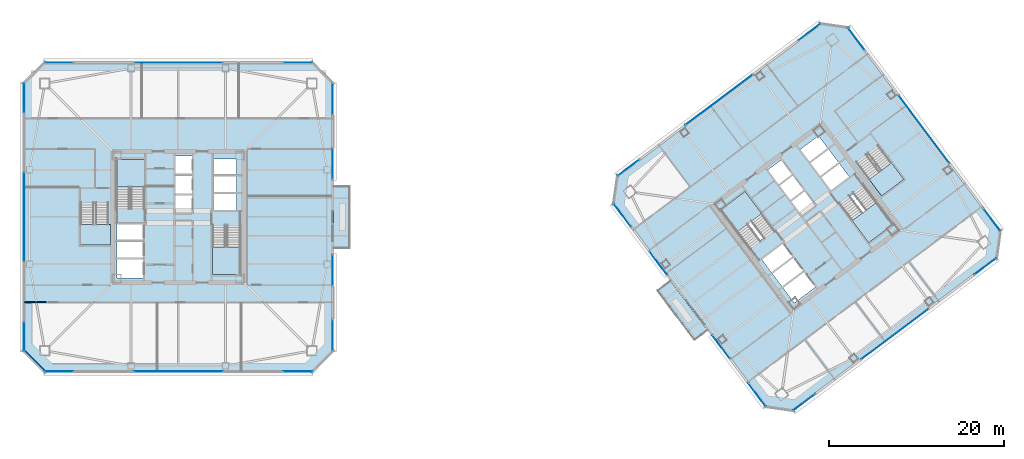
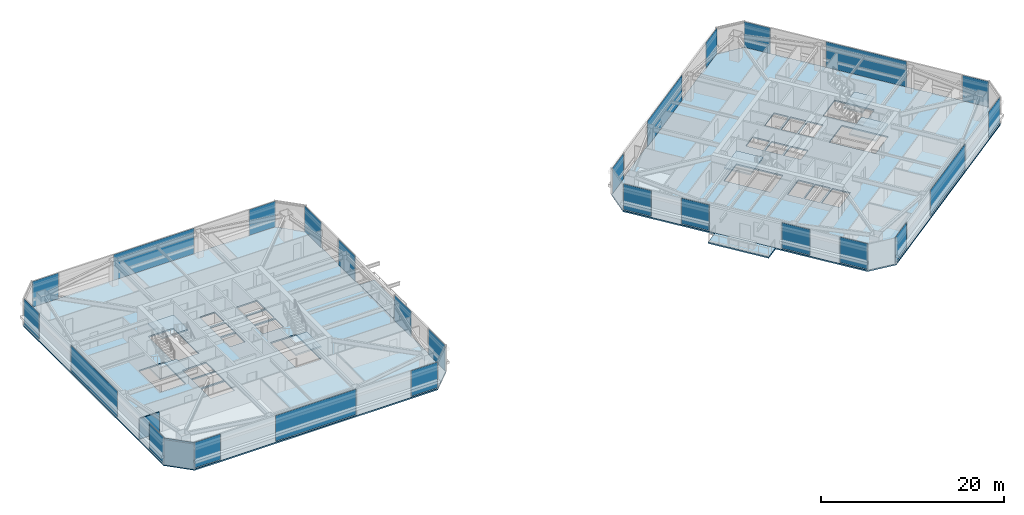
# One storey, part 30 of 41: 26 plates, 10 slabs, 2 walls, 32 elements without a shape of their own.
"""IFC4 building model written with IfcOpenShell, lengths in metres."""

from ifc_helpers import new_model, si_unit, direction, frame, frame_2d, origin, origin_2d, place, context, subcontext, project, spatial, polyline, rectangle, outline, extrude, material, layer, layer_set, type_object, element, aggregate, save


model = new_model("IFC4")

# Units and contexts
model_context = context("Model", 3, precision=1e-05, world=origin(), true_north=direction((0.0, 1.0)))
body_context = subcontext(model_context, "Body", "Model", "MODEL_VIEW")
ifc_project = project(units=[si_unit("LENGTHUNIT", "METRE"), si_unit("AREAUNIT", "SQUARE_METRE"), si_unit("VOLUMEUNIT", "CUBIC_METRE"), si_unit("PLANEANGLEUNIT", "RADIAN"), si_unit("MASSUNIT", "GRAM", prefix="KILO")], contexts=[model_context])

# Site, building, storey
site_placement = place(None, origin())
site = spatial("IfcSite", under=ifc_project, at=site_placement, CompositionType="ELEMENT")
building_placement = place(site_placement, origin())
building = spatial("IfcBuilding", under=site, at=building_placement, Name="Tashvorn Skyway Center", CompositionType="ELEMENT")
storey_placement = place(building_placement, frame((0.0, 0.0, 171.199951171875)))
storey = spatial("IfcBuildingStorey", under=building, at=storey_placement, Name="L46", CompositionType="ELEMENT", Elevation=171.199951171875)

# Curtain wall, plate
ifc_material_1 = material(Name="Thermally broken bronze-anodized aluminium 6063-T6", Category="aluminium")
curtain_wall_type = type_object("IfcCurtainWallType", Name="CW-CW-Z4", PredefinedType="NOTDEFINED", material=ifc_material_1)
curtain_wall_1_placement = place(storey_placement, origin())
curtain_wall_1 = element("IfcCurtainWall", 1, at=curtain_wall_1_placement, inside=storey, type_object=curtain_wall_type, Name="Tower 1 L46 South Unitised Curtain Wall Glazing Group 1", PredefinedType="NOTDEFINED")
ifc_material_2 = material(Name="Low-E solar-control double insulating safety glass", Category="glass")
ifc_layer_1 = layer(ifc_material_2, 0.035888671875)
ifc_layer_set_1 = layer_set([ifc_layer_1], Name="Low-E solar-control double insulating safety glass")
plate_type = type_object("IfcPlateType", Name="CWP-CW-Z4", PredefinedType="CURTAIN_PANEL", material=ifc_layer_set_1)
plate_1_placement = place(storey_placement, frame((55.671142578125, 14.320068359375, 0.0703125), z_axis=(0.0, 0.0, 1.0), x_axis=(-1.0, 0.0, 0.0)))
plate_1 = element("IfcPlate", 2, at=plate_1_placement, type_object=plate_type, Name="CW-Z4 panel 1.1", PredefinedType="CURTAIN_PANEL", context=body_context, shape_type="SweptSolid", body=[
    extrude(rectangle(XDim=3.27783203125, YDim=0.035888671875, at=origin_2d()), origin(), (0.0, 0.0, 1.0), 3.409912109375),
])
aggregate(curtain_wall_1, [plate_1])

curtain_wall_2_placement = place(storey_placement, origin())
curtain_wall_2 = element("IfcCurtainWall", 3, at=curtain_wall_2_placement, inside=storey, type_object=curtain_wall_type, Name="Tower 1 L46 South Unitised Curtain Wall Glazing Group 2", PredefinedType="NOTDEFINED")
plate_2_placement = place(storey_placement, frame((42.0, 14.320068359375, 0.0703125), z_axis=(0.0, 0.0, 1.0), x_axis=(-1.0, 0.0, 0.0)))
plate_2 = element("IfcPlate", 4, at=plate_2_placement, type_object=plate_type, Name="CW-Z4 panel 1.1", PredefinedType="CURTAIN_PANEL", context=body_context, shape_type="SweptSolid", body=[
    extrude(rectangle(XDim=10.11328125, YDim=0.035888671875, at=origin_2d()), origin(), (0.0, 0.0, 1.0), 3.409912109375),
])
aggregate(curtain_wall_2, [plate_2])

curtain_wall_3_placement = place(storey_placement, origin())
curtain_wall_3 = element("IfcCurtainWall", 5, at=curtain_wall_3_placement, inside=storey, type_object=curtain_wall_type, Name="Tower 1 L46 South Unitised Curtain Wall Glazing Group 3", PredefinedType="NOTDEFINED")
plate_3_placement = place(storey_placement, frame((28.328857421875, 14.320068359375, 0.0703125), z_axis=(0.0, 0.0, 1.0), x_axis=(-1.0, 0.0, 0.0)))
plate_3 = element("IfcPlate", 6, at=plate_3_placement, type_object=plate_type, Name="CW-Z4 panel 1.1", PredefinedType="CURTAIN_PANEL", context=body_context, shape_type="SweptSolid", body=[
    extrude(rectangle(XDim=3.27783203125, YDim=0.035888671875, at=origin_2d()), origin(), (0.0, 0.0, 1.0), 3.409912109375),
])
aggregate(curtain_wall_3, [plate_3])

curtain_wall_4_placement = place(storey_placement, origin())
curtain_wall_4 = element("IfcCurtainWall", 7, at=curtain_wall_4_placement, inside=storey, type_object=curtain_wall_type, Name="Tower 1 L46 West Unitised Curtain Wall Glazing Group 1", PredefinedType="NOTDEFINED")
plate_4_placement = place(storey_placement, frame((24.320068359375, 18.328857421875, 0.0703125), z_axis=(0.0, 0.0, 1.0), x_axis=(0.0, 1.0, 0.0)))
plate_4 = element("IfcPlate", 8, at=plate_4_placement, type_object=plate_type, Name="CW-Z4 panel 1.1", PredefinedType="CURTAIN_PANEL", context=body_context, shape_type="SweptSolid", body=[
    extrude(rectangle(XDim=3.27783203125, YDim=0.035888671875, at=origin_2d()), origin(), (0.0, 0.0, 1.0), 3.409912109375),
])
aggregate(curtain_wall_4, [plate_4])

curtain_wall_5_placement = place(storey_placement, origin())
curtain_wall_5 = element("IfcCurtainWall", 9, at=curtain_wall_5_placement, inside=storey, type_object=curtain_wall_type, Name="Tower 1 L46 West Unitised Curtain Wall Glazing Group 2", PredefinedType="NOTDEFINED")
plate_5_placement = place(storey_placement, frame((24.320068359375, 32.0, 0.0703125), z_axis=(0.0, 0.0, 1.0), x_axis=(0.0, 1.0, 0.0)))
plate_5 = element("IfcPlate", 10, at=plate_5_placement, type_object=plate_type, Name="CW-Z4 panel 1.1", PredefinedType="CURTAIN_PANEL", context=body_context, shape_type="SweptSolid", body=[
    extrude(rectangle(XDim=10.11328125, YDim=0.035888671875, at=origin_2d()), origin(), (0.0, 0.0, 1.0), 3.409912109375),
])
aggregate(curtain_wall_5, [plate_5])

curtain_wall_6_placement = place(storey_placement, origin())
curtain_wall_6 = element("IfcCurtainWall", 11, at=curtain_wall_6_placement, inside=storey, type_object=curtain_wall_type, Name="Tower 1 L46 West Unitised Curtain Wall Glazing Group 3", PredefinedType="NOTDEFINED")
plate_6_placement = place(storey_placement, frame((24.320068359375, 45.671142578125, 0.0703125), z_axis=(0.0, 0.0, 1.0), x_axis=(0.0, 1.0, 0.0)))
plate_6 = element("IfcPlate", 12, at=plate_6_placement, type_object=plate_type, Name="CW-Z4 panel 1.1", PredefinedType="CURTAIN_PANEL", context=body_context, shape_type="SweptSolid", body=[
    extrude(rectangle(XDim=3.27783203125, YDim=0.035888671875, at=origin_2d()), origin(), (0.0, 0.0, 1.0), 3.409912109375),
])
aggregate(curtain_wall_6, [plate_6])

curtain_wall_7_placement = place(storey_placement, origin())
curtain_wall_7 = element("IfcCurtainWall", 13, at=curtain_wall_7_placement, inside=storey, type_object=curtain_wall_type, Name="Tower 1 L46 North Unitised Curtain Wall Glazing Group 1", PredefinedType="NOTDEFINED")
plate_7_placement = place(storey_placement, frame((28.328857421875, 49.679931640625, 0.0703125), z_axis=(0.0, 0.0, 1.0), x_axis=(1.0, 0.0, 0.0)))
plate_7 = element("IfcPlate", 14, at=plate_7_placement, type_object=plate_type, Name="CW-Z4 panel 1.1", PredefinedType="CURTAIN_PANEL", context=body_context, shape_type="SweptSolid", body=[
    extrude(rectangle(XDim=3.27783203125, YDim=0.035888671875, at=origin_2d()), origin(), (0.0, 0.0, 1.0), 3.409912109375),
])
aggregate(curtain_wall_7, [plate_7])

curtain_wall_8_placement = place(storey_placement, origin())
curtain_wall_8 = element("IfcCurtainWall", 15, at=curtain_wall_8_placement, inside=storey, type_object=curtain_wall_type, Name="Tower 1 L46 North Unitised Curtain Wall Glazing Group 2", PredefinedType="NOTDEFINED")
plate_8_placement = place(storey_placement, frame((42.0, 49.679931640625, 0.0703125), z_axis=(0.0, 0.0, 1.0), x_axis=(1.0, 0.0, 0.0)))
plate_8 = element("IfcPlate", 16, at=plate_8_placement, type_object=plate_type, Name="CW-Z4 panel 1.1", PredefinedType="CURTAIN_PANEL", context=body_context, shape_type="SweptSolid", body=[
    extrude(rectangle(XDim=10.11328125, YDim=0.035888671875, at=origin_2d()), origin(), (0.0, 0.0, 1.0), 3.409912109375),
])
aggregate(curtain_wall_8, [plate_8])

curtain_wall_9_placement = place(storey_placement, origin())
curtain_wall_9 = element("IfcCurtainWall", 17, at=curtain_wall_9_placement, inside=storey, type_object=curtain_wall_type, Name="Tower 1 L46 North Unitised Curtain Wall Glazing Group 3", PredefinedType="NOTDEFINED")
plate_9_placement = place(storey_placement, frame((55.671142578125, 49.679931640625, 0.0703125), z_axis=(0.0, 0.0, 1.0), x_axis=(1.0, 0.0, 0.0)))
plate_9 = element("IfcPlate", 18, at=plate_9_placement, type_object=plate_type, Name="CW-Z4 panel 1.1", PredefinedType="CURTAIN_PANEL", context=body_context, shape_type="SweptSolid", body=[
    extrude(rectangle(XDim=3.27783203125, YDim=0.035888671875, at=origin_2d()), origin(), (0.0, 0.0, 1.0), 3.409912109375),
])
aggregate(curtain_wall_9, [plate_9])

curtain_wall_10_placement = place(storey_placement, origin())
curtain_wall_10 = element("IfcCurtainWall", 19, at=curtain_wall_10_placement, inside=storey, type_object=curtain_wall_type, Name="Tower 1 L46 East Curtain Wall L Glazing Group 1", PredefinedType="NOTDEFINED")
plate_10_placement = place(storey_placement, frame((59.679931640625, 45.52490234375, 0.0703125), z_axis=(0.0, 0.0, 1.0), x_axis=(0.0, -1.0, 0.0)))
plate_10 = element("IfcPlate", 20, at=plate_10_placement, type_object=plate_type, Name="CW-Z4 panel 1.1", PredefinedType="CURTAIN_PANEL", context=body_context, shape_type="SweptSolid", body=[
    extrude(rectangle(XDim=3.570068359375, YDim=0.035888671875, at=origin_2d()), origin(), (0.0, 0.0, 1.0), 3.409912109375),
])
aggregate(curtain_wall_10, [plate_10])

curtain_wall_11_placement = place(storey_placement, origin())
curtain_wall_11 = element("IfcCurtainWall", 21, at=curtain_wall_11_placement, inside=storey, type_object=curtain_wall_type, Name="Tower 1 L46 East Curtain Wall L Glazing Group 2", PredefinedType="NOTDEFINED")
plate_11_placement = place(storey_placement, frame((59.679931640625, 38.10498046875, 0.0703125), z_axis=(0.0, 0.0, 1.0), x_axis=(0.0, -1.0, 0.0)))
plate_11 = element("IfcPlate", 22, at=plate_11_placement, type_object=plate_type, Name="CW-Z4 panel 1.1", PredefinedType="CURTAIN_PANEL", context=body_context, shape_type="SweptSolid", body=[
    extrude(rectangle(XDim=3.570068359375, YDim=0.035888671875, at=origin_2d()), origin(), (0.0, 0.0, 1.0), 3.409912109375),
])
aggregate(curtain_wall_11, [plate_11])

curtain_wall_12_placement = place(storey_placement, origin())
curtain_wall_12 = element("IfcCurtainWall", 23, at=curtain_wall_12_placement, inside=storey, type_object=curtain_wall_type, Name="Tower 1 L46 East Curtain Wall R Glazing Group 1", PredefinedType="NOTDEFINED")
plate_12_placement = place(storey_placement, frame((59.679931640625, 25.89501953125, 0.0703125), z_axis=(0.0, 0.0, 1.0), x_axis=(0.0, -1.0, 0.0)))
plate_12 = element("IfcPlate", 24, at=plate_12_placement, type_object=plate_type, Name="CW-Z4 panel 1.1", PredefinedType="CURTAIN_PANEL", context=body_context, shape_type="SweptSolid", body=[
    extrude(rectangle(XDim=3.570068359375, YDim=0.035888671875, at=origin_2d()), origin(), (0.0, 0.0, 1.0), 3.409912109375),
])
aggregate(curtain_wall_12, [plate_12])

curtain_wall_13_placement = place(storey_placement, origin())
curtain_wall_13 = element("IfcCurtainWall", 25, at=curtain_wall_13_placement, inside=storey, type_object=curtain_wall_type, Name="Tower 1 L46 East Curtain Wall R Glazing Group 2", PredefinedType="NOTDEFINED")
plate_13_placement = place(storey_placement, frame((59.679931640625, 18.47509765625, 0.0703125), z_axis=(0.0, 0.0, 1.0), x_axis=(0.0, -1.0, 0.0)))
plate_13 = element("IfcPlate", 26, at=plate_13_placement, type_object=plate_type, Name="CW-Z4 panel 1.1", PredefinedType="CURTAIN_PANEL", context=body_context, shape_type="SweptSolid", body=[
    extrude(rectangle(XDim=3.570068359375, YDim=0.035888671875, at=origin_2d()), origin(), (0.0, 0.0, 1.0), 3.409912109375),
])
aggregate(curtain_wall_13, [plate_13])

curtain_wall_14_placement = place(storey_placement, origin())
curtain_wall_14 = element("IfcCurtainWall", 27, at=curtain_wall_14_placement, inside=storey, type_object=curtain_wall_type, Name="Tower 2 L46 South Unitised Curtain Wall Glazing Group 1", PredefinedType="NOTDEFINED")
plate_14_placement = place(storey_placement, frame((134.43603515625, 26.35205078125, 0.0703125), z_axis=(0.0, 0.0, 1.0), x_axis=(-0.799999999998, -0.600000000002, 0.0)))
plate_14 = element("IfcPlate", 28, at=plate_14_placement, type_object=plate_type, Name="CW-Z4 panel 1.1", PredefinedType="CURTAIN_PANEL", context=body_context, shape_type="SweptSolid", body=[
    extrude(rectangle(XDim=3.10009765625, YDim=0.035888671875, at=origin_2d()), origin(), (0.0, 0.0, 1.0), 3.409912109375),
])
aggregate(curtain_wall_14, [plate_14])

curtain_wall_15_placement = place(storey_placement, origin())
curtain_wall_15 = element("IfcCurtainWall", 29, at=curtain_wall_15_placement, inside=storey, type_object=curtain_wall_type, Name="Tower 2 L46 South Unitised Curtain Wall Glazing Group 2", PredefinedType="NOTDEFINED")
plate_15_placement = place(storey_placement, frame((124.068115234375, 18.575927734375, 0.0703125), z_axis=(0.0, 0.0, 1.0), x_axis=(-0.799999999998, -0.600000000002, 0.0)))
plate_15 = element("IfcPlate", 30, at=plate_15_placement, type_object=plate_type, Name="CW-Z4 panel 1.1", PredefinedType="CURTAIN_PANEL", context=body_context, shape_type="SweptSolid", body=[
    extrude(rectangle(XDim=9.580078125, YDim=0.035888671875, at=origin_2d()), origin(), (0.0, 0.0, 1.0), 3.409912109375),
])
aggregate(curtain_wall_15, [plate_15])

curtain_wall_16_placement = place(storey_placement, origin())
curtain_wall_16 = element("IfcCurtainWall", 31, at=curtain_wall_16_placement, inside=storey, type_object=curtain_wall_type, Name="Tower 2 L46 South Unitised Curtain Wall Glazing Group 3", PredefinedType="NOTDEFINED")
plate_16_placement = place(storey_placement, frame((113.699951171875, 10.800048828125, 0.0703125), z_axis=(0.0, 0.0, 1.0), x_axis=(-0.799999999998, -0.600000000002, 0.0)))
plate_16 = element("IfcPlate", 32, at=plate_16_placement, type_object=plate_type, Name="CW-Z4 panel 1.1", PredefinedType="CURTAIN_PANEL", context=body_context, shape_type="SweptSolid", body=[
    extrude(rectangle(XDim=3.10009765625, YDim=0.035888671875, at=origin_2d()), origin(), (0.0, 0.0, 1.0), 3.409912109375),
])
aggregate(curtain_wall_16, [plate_16])

curtain_wall_17_placement = place(storey_placement, origin())
curtain_wall_17 = element("IfcCurtainWall", 33, at=curtain_wall_17_placement, inside=storey, type_object=curtain_wall_type, Name="Tower 2 L46 West Curtain Wall L Glazing Group 1", PredefinedType="NOTDEFINED")
plate_17_placement = place(storey_placement, frame((108.291015625, 11.645263671875, 0.0703125), z_axis=(0.0, 0.0, 1.0), x_axis=(-0.599995353367, 0.800003484954, 0.0)))
plate_17 = element("IfcPlate", 34, at=plate_17_placement, type_object=plate_type, Name="CW-Z4 panel 1.1", PredefinedType="CURTAIN_PANEL", context=body_context, shape_type="SweptSolid", body=[
    extrude(rectangle(XDim=3.303466796875, YDim=0.035888671875, at=origin_2d()), origin(), (0.0, 0.0, 1.0), 3.409912109375),
])
aggregate(curtain_wall_17, [plate_17])

curtain_wall_18_placement = place(storey_placement, origin())
curtain_wall_18 = element("IfcCurtainWall", 35, at=curtain_wall_18_placement, inside=storey, type_object=curtain_wall_type, Name="Tower 2 L46 West Curtain Wall L Glazing Group 2", PredefinedType="NOTDEFINED")
plate_18_placement = place(storey_placement, frame((104.158935546875, 17.154541015625, 0.0703125), z_axis=(0.0, 0.0, 1.0), x_axis=(-0.599995353367, 0.800003484954, 0.0)))
plate_18 = element("IfcPlate", 36, at=plate_18_placement, type_object=plate_type, Name="CW-Z4 panel 1.1", PredefinedType="CURTAIN_PANEL", context=body_context, shape_type="SweptSolid", body=[
    extrude(rectangle(XDim=3.303466796875, YDim=0.035888671875, at=origin_2d()), origin(), (0.0, 0.0, 1.0), 3.409912109375),
])
aggregate(curtain_wall_18, [plate_18])

curtain_wall_19_placement = place(storey_placement, origin())
curtain_wall_19 = element("IfcCurtainWall", 37, at=curtain_wall_19_placement, inside=storey, type_object=curtain_wall_type, Name="Tower 2 L46 West Curtain Wall R Glazing Group 1", PredefinedType="NOTDEFINED")
plate_19_placement = place(storey_placement, frame((96.992919921875, 26.709228515625, 0.0703125), z_axis=(0.0, 0.0, 1.0), x_axis=(-0.599995353367, 0.800003484954, 0.0)))
plate_19 = element("IfcPlate", 38, at=plate_19_placement, type_object=plate_type, Name="CW-Z4 panel 1.1", PredefinedType="CURTAIN_PANEL", context=body_context, shape_type="SweptSolid", body=[
    extrude(rectangle(XDim=3.303466796875, YDim=0.035888671875, at=origin_2d()), origin(), (0.0, 0.0, 1.0), 3.409912109375),
])
aggregate(curtain_wall_19, [plate_19])

curtain_wall_20_placement = place(storey_placement, origin())
curtain_wall_20 = element("IfcCurtainWall", 39, at=curtain_wall_20_placement, inside=storey, type_object=curtain_wall_type, Name="Tower 2 L46 West Curtain Wall R Glazing Group 2", PredefinedType="NOTDEFINED")
plate_20_placement = place(storey_placement, frame((92.861083984375, 32.21875, 0.0703125), z_axis=(0.0, 0.0, 1.0), x_axis=(-0.599995353367, 0.800003484954, 0.0)))
plate_20 = element("IfcPlate", 40, at=plate_20_placement, type_object=plate_type, Name="CW-Z4 panel 1.1", PredefinedType="CURTAIN_PANEL", context=body_context, shape_type="SweptSolid", body=[
    extrude(rectangle(XDim=3.303466796875, YDim=0.035888671875, at=origin_2d()), origin(), (0.0, 0.0, 1.0), 3.409912109375),
])
aggregate(curtain_wall_20, [plate_20])

curtain_wall_21_placement = place(storey_placement, origin())
curtain_wall_21 = element("IfcCurtainWall", 41, at=curtain_wall_21_placement, inside=storey, type_object=curtain_wall_type, Name="Tower 2 L46 North Unitised Curtain Wall Glazing Group 1", PredefinedType="NOTDEFINED")
plate_21_placement = place(storey_placement, frame((93.56396484375, 37.64794921875, 0.0703125), z_axis=(0.0, 0.0, 1.0), x_axis=(0.799999999998, 0.600000000002, 0.0)))
plate_21 = element("IfcPlate", 42, at=plate_21_placement, type_object=plate_type, Name="CW-Z4 panel 1.1", PredefinedType="CURTAIN_PANEL", context=body_context, shape_type="SweptSolid", body=[
    extrude(rectangle(XDim=3.10009765625, YDim=0.035888671875, at=origin_2d()), origin(), (0.0, 0.0, 1.0), 3.409912109375),
])
aggregate(curtain_wall_21, [plate_21])

curtain_wall_22_placement = place(storey_placement, origin())
curtain_wall_22 = element("IfcCurtainWall", 43, at=curtain_wall_22_placement, inside=storey, type_object=curtain_wall_type, Name="Tower 2 L46 North Unitised Curtain Wall Glazing Group 2", PredefinedType="NOTDEFINED")
plate_22_placement = place(storey_placement, frame((103.931884765625, 45.424072265625, 0.0703125), z_axis=(0.0, 0.0, 1.0), x_axis=(0.799999999998, 0.600000000002, 0.0)))
plate_22 = element("IfcPlate", 44, at=plate_22_placement, type_object=plate_type, Name="CW-Z4 panel 1.1", PredefinedType="CURTAIN_PANEL", context=body_context, shape_type="SweptSolid", body=[
    extrude(rectangle(XDim=9.580078125, YDim=0.035888671875, at=origin_2d()), origin(), (0.0, 0.0, 1.0), 3.409912109375),
])
aggregate(curtain_wall_22, [plate_22])

curtain_wall_23_placement = place(storey_placement, origin())
curtain_wall_23 = element("IfcCurtainWall", 45, at=curtain_wall_23_placement, inside=storey, type_object=curtain_wall_type, Name="Tower 2 L46 North Unitised Curtain Wall Glazing Group 3", PredefinedType="NOTDEFINED")
plate_23_placement = place(storey_placement, frame((114.300048828125, 53.199951171875, 0.0703125), z_axis=(0.0, 0.0, 1.0), x_axis=(0.799999999998, 0.600000000002, 0.0)))
plate_23 = element("IfcPlate", 46, at=plate_23_placement, type_object=plate_type, Name="CW-Z4 panel 1.1", PredefinedType="CURTAIN_PANEL", context=body_context, shape_type="SweptSolid", body=[
    extrude(rectangle(XDim=3.10009765625, YDim=0.035888671875, at=origin_2d()), origin(), (0.0, 0.0, 1.0), 3.409912109375),
])
aggregate(curtain_wall_23, [plate_23])

curtain_wall_24_placement = place(storey_placement, origin())
curtain_wall_24 = element("IfcCurtainWall", 47, at=curtain_wall_24_placement, inside=storey, type_object=curtain_wall_type, Name="Tower 2 L46 East Unitised Curtain Wall Glazing Group 1", PredefinedType="NOTDEFINED")
plate_24_placement = place(storey_placement, frame((119.64794921875, 52.43603515625, 0.0703125), z_axis=(0.0, 0.0, 1.0), x_axis=(0.600000000002, -0.799999999998, 0.0)))
plate_24 = element("IfcPlate", 48, at=plate_24_placement, type_object=plate_type, Name="CW-Z4 panel 1.1", PredefinedType="CURTAIN_PANEL", context=body_context, shape_type="SweptSolid", body=[
    extrude(rectangle(XDim=3.10009765625, YDim=0.035888671875, at=origin_2d()), origin(), (0.0, 0.0, 1.0), 3.409912109375),
])
aggregate(curtain_wall_24, [plate_24])

curtain_wall_25_placement = place(storey_placement, origin())
curtain_wall_25 = element("IfcCurtainWall", 49, at=curtain_wall_25_placement, inside=storey, type_object=curtain_wall_type, Name="Tower 2 L46 East Unitised Curtain Wall Glazing Group 2", PredefinedType="NOTDEFINED")
plate_25_placement = place(storey_placement, frame((127.424072265625, 42.068115234375, 0.0703125), z_axis=(0.0, 0.0, 1.0), x_axis=(0.600000000002, -0.799999999998, 0.0)))
plate_25 = element("IfcPlate", 50, at=plate_25_placement, type_object=plate_type, Name="CW-Z4 panel 1.1", PredefinedType="CURTAIN_PANEL", context=body_context, shape_type="SweptSolid", body=[
    extrude(rectangle(XDim=9.580078125, YDim=0.035888671875, at=origin_2d()), origin(), (0.0, 0.0, 1.0), 3.409912109375),
])
aggregate(curtain_wall_25, [plate_25])

curtain_wall_26_placement = place(storey_placement, origin())
curtain_wall_26 = element("IfcCurtainWall", 51, at=curtain_wall_26_placement, inside=storey, type_object=curtain_wall_type, Name="Tower 2 L46 East Unitised Curtain Wall Glazing Group 3", PredefinedType="NOTDEFINED")
plate_26_placement = place(storey_placement, frame((135.199951171875, 31.699951171875, 0.0703125), z_axis=(0.0, 0.0, 1.0), x_axis=(0.600000000002, -0.799999999998, 0.0)))
plate_26 = element("IfcPlate", 52, at=plate_26_placement, type_object=plate_type, Name="CW-Z4 panel 1.1", PredefinedType="CURTAIN_PANEL", context=body_context, shape_type="SweptSolid", body=[
    extrude(rectangle(XDim=3.10009765625, YDim=0.035888671875, at=origin_2d()), origin(), (0.0, 0.0, 1.0), 3.409912109375),
])
aggregate(curtain_wall_26, [plate_26])

# Slabs
ifc_material_3 = material(Name="Concrete C40/50", Category="concrete")
ifc_layer_2 = layer(ifc_material_3, 0.179931640625)
ifc_layer_set_2 = layer_set([ifc_layer_2], Name="Concrete C40/50")
slab_type_1 = type_object("IfcSlabType", Name="SLAB-FLR-180", PredefinedType="FLOOR", material=ifc_layer_set_2)
slab_1_placement = place(storey_placement, frame((0.0, 0.0, -0.179931640625)))
element("IfcSlab", 53, at=slab_1_placement, inside=storey, type_object=slab_type_1, Name="Tower 1 L46 Composite Floor Slab", PredefinedType="FLOOR", context=body_context, shape_type="SweptSolid", body=[
    extrude(outline(polyline([(26.699951171875, 14.199951171875), (57.300048828125, 14.199951171875), (59.800048828125, 16.699951171875), (59.800048828125, 47.300048828125), (57.300048828125, 49.800048828125), (26.699951171875, 49.800048828125), (24.199951171875, 47.300048828125), (24.199951171875, 16.699951171875), (26.699951171875, 14.199951171875)]), holes=[polyline([(38.10009765625, 33.080078125), (38.10009765625, 38.60009765625), (34.89990234375, 38.60009765625), (34.89990234375, 33.080078125), (38.10009765625, 33.080078125)]), polyline([(45.89990234375, 30.919921875), (45.89990234375, 25.39990234375), (49.10009765625, 25.39990234375), (49.10009765625, 30.919921875), (45.89990234375, 30.919921875)]), polyline([(30.800048828125, 33.52001953125), (30.800048828125, 28.800048828125), (34.0, 28.800048828125), (34.0, 33.52001953125), (30.800048828125, 33.52001953125)]), polyline([(34.949951171875, 29.35009765625), (37.949951171875, 29.35009765625), (37.949951171875, 31.199951171875), (34.949951171875, 31.199951171875), (34.949951171875, 29.35009765625)]), polyline([(34.949951171875, 27.35009765625), (37.949951171875, 27.35009765625), (37.949951171875, 29.199951171875), (34.949951171875, 29.199951171875), (34.949951171875, 27.35009765625)]), polyline([(34.949951171875, 25.0), (37.949951171875, 25.0), (37.949951171875, 27.14990234375), (34.949951171875, 27.14990234375), (34.949951171875, 25.0)]), polyline([(41.64990234375, 32.449951171875), (43.550048828125, 32.449951171875), (43.550048828125, 34.5), (41.64990234375, 34.5), (41.64990234375, 32.449951171875)]), polyline([(41.64990234375, 34.699951171875), (43.550048828125, 34.699951171875), (43.550048828125, 36.75), (41.64990234375, 36.75), (41.64990234375, 34.699951171875)]), polyline([(41.64990234375, 36.949951171875), (43.550048828125, 36.949951171875), (43.550048828125, 39.0), (41.64990234375, 39.0), (41.64990234375, 36.949951171875)]), polyline([(46.050048828125, 32.800048828125), (48.64990234375, 32.800048828125), (48.64990234375, 34.64990234375), (46.050048828125, 34.64990234375), (46.050048828125, 32.800048828125)]), polyline([(46.050048828125, 34.85009765625), (48.64990234375, 34.85009765625), (48.64990234375, 36.699951171875), (46.050048828125, 36.699951171875), (46.050048828125, 34.85009765625)]), polyline([(46.050048828125, 36.89990234375), (48.64990234375, 36.89990234375), (48.64990234375, 38.64990234375), (46.050048828125, 38.64990234375), (46.050048828125, 36.89990234375)])]), origin(), (0.0, 0.0, 1.0), 0.179931640625),
])
slab_2_placement = place(storey_placement, frame((0.0, 0.0, -0.179931640625)))
element("IfcSlab", 54, at=slab_2_placement, inside=storey, type_object=slab_type_1, Name="Tower 2 L46 Composite Floor Slab", PredefinedType="FLOOR", context=body_context, shape_type="SweptSolid", body=[
    extrude(outline(polyline([(112.5400390625, 9.780029296875), (135.739990234375, 27.179931640625), (136.219970703125, 30.5400390625), (118.820068359375, 53.739990234375), (115.4599609375, 54.219970703125), (92.260009765625, 36.820068359375), (91.780029296875, 33.4599609375), (109.179931640625, 10.260009765625), (112.5400390625, 9.780029296875)]), holes=[polyline([(110.23193359375, 30.52392578125), (106.919921875, 34.93994140625), (104.135986328125, 32.85205078125), (107.447998046875, 28.43603515625), (110.23193359375, 30.52392578125)]), polyline([(117.76806640625, 33.47607421875), (121.080078125, 29.06005859375), (123.864013671875, 31.14794921875), (120.552001953125, 35.56396484375), (117.76806640625, 33.47607421875)]), polyline([(119.7119140625, 38.18408203125), (122.5439453125, 34.407958984375), (125.10400390625, 36.327880859375), (122.27197265625, 40.10400390625), (119.7119140625, 38.18408203125)]), polyline([(109.949951171875, 25.64990234375), (112.35009765625, 27.449951171875), (111.239990234375, 28.929931640625), (108.840087890625, 27.1298828125), (109.949951171875, 25.64990234375)]), polyline([(111.14990234375, 24.050048828125), (113.550048828125, 25.85009765625), (112.43994140625, 27.330078125), (110.0400390625, 25.530029296875), (111.14990234375, 24.050048828125)]), polyline([(112.56005859375, 22.169921875), (114.9599609375, 23.969970703125), (113.669921875, 25.68994140625), (111.27001953125, 23.889892578125), (112.56005859375, 22.169921875)]), polyline([(113.449951171875, 32.14990234375), (114.969970703125, 33.2900390625), (113.739990234375, 34.929931640625), (112.219970703125, 33.7900390625), (113.449951171875, 32.14990234375)]), polyline([(112.10009765625, 33.949951171875), (113.6201171875, 35.090087890625), (112.389892578125, 36.72998046875), (110.8701171875, 35.590087890625), (112.10009765625, 33.949951171875)]), polyline([(110.75, 35.75), (112.27001953125, 36.889892578125), (111.0400390625, 38.530029296875), (109.52001953125, 37.389892578125), (110.75, 35.75)]), polyline([(116.760009765625, 35.070068359375), (118.840087890625, 36.6298828125), (117.72998046875, 38.110107421875), (115.64990234375, 36.550048828125), (116.760009765625, 35.070068359375)]), polyline([(115.530029296875, 36.7099609375), (117.610107421875, 38.27001953125), (116.5, 39.75), (114.419921875, 38.18994140625), (115.530029296875, 36.7099609375)]), polyline([(114.300048828125, 38.35009765625), (116.3798828125, 39.909912109375), (115.330078125, 41.31005859375), (113.25, 39.75), (114.300048828125, 38.35009765625)])]), origin(), (0.0, 0.0, 1.0), 0.179931640625),
])

# Stair, slab
stair_type = type_object("IfcStairType", Name="STAIR-CORE-1500", PredefinedType="HALF_TURN_STAIR", material=ifc_material_3)
stair_1_placement = place(storey_placement, origin())
stair_1 = element("IfcStair", 55, at=stair_1_placement, inside=storey, type_object=stair_type, Name="L46 Tower 1 Exit Stair 1", PredefinedType="HALF_TURN_STAIR")
ifc_layer_3 = layer(ifc_material_3, 0.199951171875)
ifc_layer_set_3 = layer_set([ifc_layer_3], Name="Concrete C40/50")
slab_type_2 = type_object("IfcSlabType", Name="SLAB-LAND-200", PredefinedType="LANDING", material=ifc_layer_set_3)
slab_3_placement = place(storey_placement, frame((0.0, 0.0, 1.574951171875)))
slab_3 = element("IfcSlab", 56, at=slab_3_placement, type_object=slab_type_2, Name="ST-T1-1 landing 1", PredefinedType="LANDING", context=body_context, shape_type="SweptSolid", body=[
    extrude(outline(polyline([(38.10009765625, 35.43994140625), (38.10009765625, 38.60009765625), (34.89990234375, 38.60009765625), (34.89990234375, 35.43994140625), (38.10009765625, 35.43994140625)])), origin(), (0.0, 0.0, 1.0), 0.2001953125),
])
aggregate(stair_1, [slab_3])

stair_2_placement = place(storey_placement, origin())
stair_2 = element("IfcStair", 57, at=stair_2_placement, inside=storey, type_object=stair_type, Name="L46 Tower 1 Exit Stair 2", PredefinedType="HALF_TURN_STAIR")
slab_4_placement = place(storey_placement, frame((0.0, 0.0, 1.574951171875)))
slab_4 = element("IfcSlab", 58, at=slab_4_placement, type_object=slab_type_2, Name="ST-T1-2 landing 1", PredefinedType="LANDING", context=body_context, shape_type="SweptSolid", body=[
    extrude(outline(polyline([(45.89990234375, 28.56005859375), (45.89990234375, 25.39990234375), (49.10009765625, 25.39990234375), (49.10009765625, 28.56005859375), (45.89990234375, 28.56005859375)])), origin(), (0.0, 0.0, 1.0), 0.2001953125),
])
aggregate(stair_2, [slab_4])

stair_3_placement = place(storey_placement, origin())
stair_3 = element("IfcStair", 59, at=stair_3_placement, inside=storey, type_object=stair_type, Name="L46 Tower 2 Exit Stair 1", PredefinedType="HALF_TURN_STAIR")
slab_5_placement = place(storey_placement, frame((0.0, 0.0, 1.574951171875)))
slab_5 = element("IfcSlab", 60, at=slab_5_placement, type_object=slab_type_2, Name="ST-T2-1 landing 1", PredefinedType="LANDING", context=body_context, shape_type="SweptSolid", body=[
    extrude(outline(polyline([(108.82080078125, 32.405517578125), (106.919921875, 34.93994140625), (104.135986328125, 32.85205078125), (106.036865234375, 30.317626953125), (108.82080078125, 32.405517578125)])), origin(), (0.0, 0.0, 1.0), 0.2001953125),
])
aggregate(stair_3, [slab_5])

stair_4_placement = place(storey_placement, origin())
stair_4 = element("IfcStair", 61, at=stair_4_placement, inside=storey, type_object=stair_type, Name="L46 Tower 2 Exit Stair 2", PredefinedType="HALF_TURN_STAIR")
slab_6_placement = place(storey_placement, frame((0.0, 0.0, 1.574951171875)))
slab_6 = element("IfcSlab", 62, at=slab_6_placement, type_object=slab_type_2, Name="ST-T2-2 landing 1", PredefinedType="LANDING", context=body_context, shape_type="SweptSolid", body=[
    extrude(outline(polyline([(119.17919921875, 31.594482421875), (121.080078125, 29.06005859375), (123.864013671875, 31.14794921875), (121.963134765625, 33.682373046875), (119.17919921875, 31.594482421875)])), origin(), (0.0, 0.0, 1.0), 0.2001953125),
])
aggregate(stair_4, [slab_6])

stair_5_placement = place(storey_placement, origin())
stair_5 = element("IfcStair", 63, at=stair_5_placement, inside=storey, type_object=stair_type, Name="L46 Tower 1 Exit Stair 3", PredefinedType="HALF_TURN_STAIR")
slab_7_placement = place(storey_placement, frame((0.0, 0.0, 1.574951171875)))
slab_7 = element("IfcSlab", 64, at=slab_7_placement, type_object=slab_type_2, Name="ST-T1-3 landing 1", PredefinedType="LANDING", context=body_context, shape_type="SweptSolid", body=[
    extrude(outline(polyline([(30.800048828125, 31.159912109375), (30.800048828125, 28.800048828125), (34.199951171875, 28.800048828125), (34.199951171875, 31.159912109375), (30.800048828125, 31.159912109375)])), origin(), (0.0, 0.0, 1.0), 0.2001953125),
])
aggregate(stair_5, [slab_7])

stair_6_placement = place(storey_placement, origin())
stair_6 = element("IfcStair", 65, at=stair_6_placement, inside=storey, type_object=stair_type, Name="L46 Tower 2 Exit Stair 3", PredefinedType="HALF_TURN_STAIR")
slab_8_placement = place(storey_placement, frame((0.0, 0.0, 1.574951171875)))
slab_8 = element("IfcSlab", 66, at=slab_8_placement, type_object=slab_type_2, Name="ST-T2-3 landing 1", PredefinedType="LANDING", context=body_context, shape_type="SweptSolid", body=[
    extrude(outline(polyline([(121.123291015625, 36.302490234375), (122.5439453125, 34.407958984375), (125.10400390625, 36.327880859375), (123.68310546875, 38.222412109375), (121.123291015625, 36.302490234375)])), origin(), (0.0, 0.0, 1.0), 0.2001953125),
])
aggregate(stair_6, [slab_8])

# Slabs
ifc_layer_4 = layer(ifc_material_3, 0.179931640625)
ifc_layer_set_4 = layer_set([ifc_layer_4], Name="Concrete C40/50")
slab_type_3 = type_object("IfcSlabType", Name="SLAB-TERR-200", PredefinedType="FLOOR", material=ifc_layer_set_4)
slab_9_placement = place(storey_placement, frame((0.0, 0.0, -0.179931640625)))
element("IfcSlab", 67, at=slab_9_placement, inside=storey, type_object=slab_type_3, Name="Tower 1 L46 Spiral Planted Terrace Slab", PredefinedType="FLOOR", context=body_context, shape_type="SweptSolid", body=[
    extrude(outline(polyline([(59.7900390625, 28.39990234375), (61.699951171875, 28.39990234375), (61.699951171875, 35.60009765625), (59.7900390625, 35.60009765625), (59.7900390625, 28.39990234375)])), origin(), (0.0, 0.0, 1.0), 0.179931640625),
])
slab_10_placement = place(storey_placement, frame((0.0, 0.0, -0.179931640625)))
element("IfcSlab", 68, at=slab_10_placement, inside=storey, type_object=slab_type_3, Name="Tower 2 L46 Spiral Planted Terrace Slab", PredefinedType="FLOOR", context=body_context, shape_type="SweptSolid", body=[
    extrude(outline(polyline([(101.1201171875, 17.840087890625), (102.64794921875, 18.986083984375), (98.327880859375, 24.74609375), (96.800048828125, 23.60009765625), (101.1201171875, 17.840087890625)])), origin(), (0.0, 0.0, 1.0), 0.179931640625),
])

# Walls
ifc_material_4 = material(Name="Precast concrete C40/50", Category="concrete")
ifc_layer_5 = layer(ifc_material_4, 0.280029296875)
ifc_layer_set_5 = layer_set([ifc_layer_5], Name="Precast concrete C40/50")
wall_type_1 = type_object("IfcWallType", Name="WALL-EXT-280", PredefinedType="SOLIDWALL", material=ifc_layer_set_5)
wall_1_placement = place(storey_placement, frame((26.699951171875, 14.300048828125, 0.0), z_axis=(0.0, 0.0, 1.0), x_axis=(-0.707106781187, 0.707106781187, 0.0)))
element("IfcWall", 69, at=wall_1_placement, inside=storey, type_object=wall_type_1, Name="Tower 1 L46 SW Precast Chamfer Wall", PredefinedType="SOLIDWALL", context=body_context, shape_type="SweptSolid", body=[
    extrude(rectangle(XDim=3.39404296875, YDim=0.280029296875, at=frame_2d((1.697021484375, 0.0))), origin(), (0.0, 0.0, 1.0), 3.3701171875),
])
ifc_material_5 = material(Name="Gypsum board on cold-formed steel stud framing", Category="steel")
ifc_layer_6 = layer(ifc_material_5, 0.135009765625)
ifc_layer_set_6 = layer_set([ifc_layer_6], Name="Gypsum board on cold-formed steel stud framing")
wall_type_2 = type_object("IfcWallType", Name="WALL-PART-135", PredefinedType="PARTITIONING", material=ifc_layer_set_6)
wall_2_placement = place(storey_placement, frame((24.320068359375, 22.22998046875, 0.0), z_axis=(0.0, 0.0, 1.0), x_axis=(1.0, 0.0, 0.0)))
element("IfcWall", 70, at=wall_2_placement, inside=storey, type_object=wall_type_2, Name="Tower 1 L46 South-West Suite North Wall", PredefinedType="PARTITIONING", context=body_context, shape_type="SweptSolid", body=[
    extrude(rectangle(XDim=2.530029296875, YDim=0.135009765625, at=frame_2d((1.26513671875, 0.0))), origin(), (0.0, 0.0, 1.0), 2.72314453125),
])

save(model, "model.ifc")
